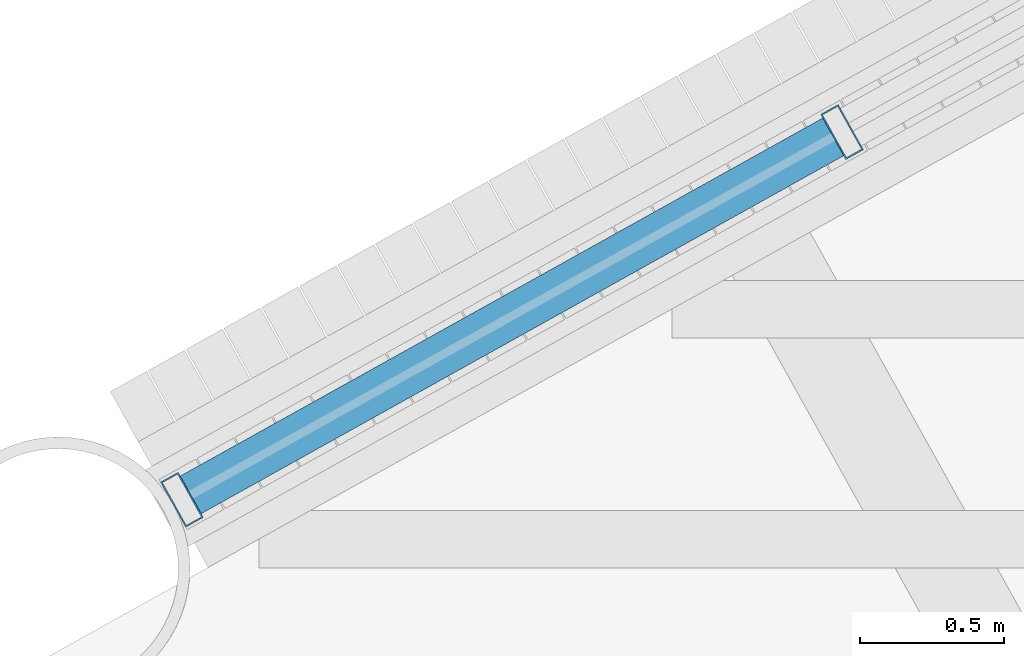
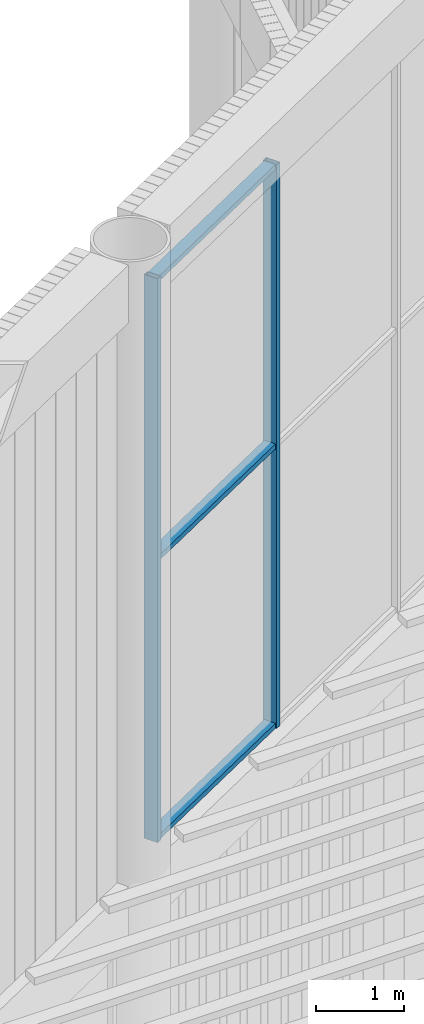
# One storey, part 36 of 117: 5 members, 1 element without a shape of its own.
"""IFC4 building model written with IfcOpenShell, lengths in metres."""

import ifcopenshell
import ifcopenshell.guid

model = None  # the IFC model being written
_history = None  # IfcOwnerHistory: only IFC2X3 demands one
_inside = {}  # id of a spatial element -> (the spatial element, [elements in it])
_under = {}  # id of a project, library or spatial element -> (it, [spatial elements below it])
_declared = {}  # id of a project -> (the project, [libraries it declares])
_typed = {}  # id of a type object -> (the type object, [elements of that type])
_made_of = {}  # id of a material, layer set ... -> (it, [elements and type objects made of it])


def new_model(schema):
    """Start an empty IFC model of exactly this schema.

    Asked for "IFC4X3", IfcOpenShell would pick the latest addendum, in which some entities
    have other attributes; the version numbers below select the first issue.
    IFC2X3 requires an IfcOwnerHistory on every rooted entity: one is made here for all.
    """
    global model, _history
    if schema == "IFC4X3":
        model = ifcopenshell.file(schema_version=(4, 3, 0, 0))
    else:
        model = ifcopenshell.file(schema=schema)
    _inside.clear()
    _under.clear()
    _declared.clear()
    _typed.clear()
    _made_of.clear()
    _history = None
    if model.schema == "IFC2X3":
        org = make("IfcOrganization", Name="unknown")
        user = make(
            "IfcPersonAndOrganization",
            ThePerson=make("IfcPerson", FamilyName="unknown"),
            TheOrganization=org,
        )
        app = make(
            "IfcApplication",
            ApplicationDeveloper=org,
            Version="unknown",
            ApplicationFullName="unknown",
            ApplicationIdentifier="unknown",
        )
        _history = make(
            "IfcOwnerHistory",
            OwningUser=user,
            OwningApplication=app,
            ChangeAction="ADDED",
            CreationDate=0,
        )
    return model


def make(cls, **values):
    """One entity of the class cls with the attributes given. An attribute that is None is left unset."""
    return model.create_entity(
        cls, **{name: value for name, value in values.items() if value is not None}
    )


def rooted(cls, **values):
    """An entity with a GlobalId (a new one), such as an element, a storey or a relation."""
    return make(cls, GlobalId=ifcopenshell.guid.new(), OwnerHistory=_history, **values)


def si_unit(unit_type, name, prefix=None):
    """IfcSIUnit, for example si_unit("LENGTHUNIT", "METRE", prefix="MILLI")."""
    return make("IfcSIUnit", UnitType=unit_type, Prefix=prefix, Name=name)


def assignment(units):
    """IfcUnitAssignment: the units of a project."""
    return None if units is None else make("IfcUnitAssignment", Units=units)


def point(xyz):
    """IfcCartesianPoint."""
    return None if xyz is None else make("IfcCartesianPoint", Coordinates=xyz)


def direction(xyz):
    """IfcDirection."""
    return None if xyz is None else make("IfcDirection", DirectionRatios=xyz)


def frame(location, z_axis=None, x_axis=None):
    """IfcAxis2Placement3D, a coordinate frame: its origin and axes. An axis left out is left unset."""
    return make(
        "IfcAxis2Placement3D",
        Location=point(location),
        Axis=direction(z_axis),
        RefDirection=direction(x_axis),
    )


def frame_2d(location, x_axis=None):
    """IfcAxis2Placement2D, a coordinate frame in the plane: its origin and x axis."""
    return make(
        "IfcAxis2Placement2D", Location=point(location), RefDirection=direction(x_axis)
    )


def origin():
    """The frame at (0, 0, 0) with its axes left unset."""
    return frame((0.0, 0.0, 0.0))


def origin_2d():
    """The frame at (0, 0) in the plane with its x axis left unset."""
    return frame_2d((0.0, 0.0))


def place(relative_to, where):
    """IfcLocalPlacement: puts the frame where relative to a parent placement (None: the world)."""
    return make(
        "IfcLocalPlacement", PlacementRelTo=relative_to, RelativePlacement=where
    )


def context(
    kind, dimensions, precision=None, world=None, true_north=None, identifier=None
):
    """IfcGeometricRepresentationContext, for example the 3D "Model" context."""
    return make(
        "IfcGeometricRepresentationContext",
        ContextIdentifier=identifier,
        ContextType=kind,
        CoordinateSpaceDimension=dimensions,
        Precision=precision,
        WorldCoordinateSystem=world,
        TrueNorth=true_north,
    )


def subcontext(parent, identifier, kind, view, scale=None):
    """IfcGeometricRepresentationSubContext, for example "Body" below "Model"."""
    return make(
        "IfcGeometricRepresentationSubContext",
        ContextIdentifier=identifier,
        ContextType=kind,
        ParentContext=parent,
        TargetScale=scale,
        TargetView=view,
    )


def project(units=None, contexts=None):
    """IfcProject with its units and contexts."""
    return rooted(
        "IfcProject",
        Name="project",
        RepresentationContexts=contexts,
        UnitsInContext=assignment(units),
    )


def spatial(cls, under=None, at=None, **own):
    """A site, building, storey or space (cls), placed at a placement, below another one or the project."""
    s = rooted(cls, ObjectPlacement=at, **own)
    if under is not None:
        _under.setdefault(under.id(), (under, []))[1].append(s)
    return s


def profile(cls, at=None, kind="AREA", **sizes):
    """A parametric profile (cls). Its sizes go by their IFC names, for example OverallWidth=200.0."""
    return make(cls, ProfileType=kind, Position=at, **sizes)


def hollow_rectangle(**sizes):
    """IfcRectangleHollowProfileDef."""
    return profile("IfcRectangleHollowProfileDef", **sizes)


def extrude(swept, where, along, depth):
    """IfcExtrudedAreaSolid: the profile swept, set in the frame where, extruded along a direction by depth."""
    return make(
        "IfcExtrudedAreaSolid",
        SweptArea=swept,
        Position=where,
        ExtrudedDirection=direction(along),
        Depth=depth,
    )


def shape(context_of_items, identifier, shape_type, items):
    """IfcShapeRepresentation: the items that make up one representation, for example the "Body"."""
    return make(
        "IfcShapeRepresentation",
        ContextOfItems=context_of_items,
        RepresentationIdentifier=identifier,
        RepresentationType=shape_type,
        Items=items,
    )


def material(Name=None, Category=None):
    """IfcMaterial."""
    return make("IfcMaterial", Name=Name, Category=Category)


def layer(
    of_material, thickness, ventilated=None, Name=None, Category=None, Priority=None
):
    """IfcMaterialLayer: one layer of a wall or slab, of a material (None: an air gap)."""
    return make(
        "IfcMaterialLayer",
        Material=of_material,
        LayerThickness=thickness,
        IsVentilated=ventilated,
        Name=Name,
        Category=Category,
        Priority=Priority,
    )


def layer_set(layers, Name=None):
    """IfcMaterialLayerSet."""
    return make("IfcMaterialLayerSet", MaterialLayers=layers, LayerSetName=Name)


def material_profile(
    of_material, cross_section, Name=None, Category=None, Priority=None
):
    """IfcMaterialProfile: a cross section and its material."""
    return make(
        "IfcMaterialProfile",
        Name=Name,
        Material=of_material,
        Profile=cross_section,
        Priority=Priority,
        Category=Category,
    )


def profile_set(profiles, Name=None, composite=None):
    """IfcMaterialProfileSet."""
    return make(
        "IfcMaterialProfileSet",
        Name=Name,
        MaterialProfiles=profiles,
        CompositeProfile=composite,
    )


def made_of(thing, what):
    """Note that an element or type object is made of a material, layer set ...; save() writes the relation."""
    if what is not None:
        _made_of.setdefault(what.id(), (what, []))[1].append(thing)
    return thing


def type_object(cls, material=None, **own):
    """A type object (cls), such as IfcWallType, which elements share."""
    return made_of(rooted(cls, **own), material)


def element(
    cls,
    number,
    at=None,
    inside=None,
    cuts=None,
    type_object=None,
    material=None,
    context=None,
    identifier="Body",
    shape_type=None,
    held_by="IfcProductDefinitionShape",
    body=None,
    shapes=None,
    **own,
):
    """One element of the class cls, such as IfcWall. Its Tag is "e" and its number.

    at: its placement. inside: the storey or other place that contains it. cuts: it is an
    opening in that element (IfcRelVoidsElement). A single representation is given by context,
    identifier, shape_type and body (its items); several are given by shapes. held_by: the class
    of the entity that holds the representations. save() writes the other relations.
    """
    e = rooted(cls, Tag="e%d" % number, ObjectPlacement=at, **own)
    if body is not None:
        shapes = [shape(context, identifier, shape_type, body)]
    if shapes is not None:
        e.Representation = make(held_by, Representations=shapes)
    if inside is not None:
        _inside.setdefault(inside.id(), (inside, []))[1].append(e)
    if cuts is not None:
        rooted(
            "IfcRelVoidsElement", RelatingBuildingElement=cuts, RelatedOpeningElement=e
        )
    if type_object is not None:
        _typed.setdefault(type_object.id(), (type_object, []))[1].append(e)
    return made_of(e, material)


def aggregate(whole, parts):
    """IfcRelAggregates: a whole, such as a stair, and the parts it consists of."""
    return rooted("IfcRelAggregates", RelatingObject=whole, RelatedObjects=parts)


def save(model, path):
    """Write the relations noted so far, then the file.

    IfcRelAggregates (storeys below a building ...), IfcRelContainedInSpatialStructure (elements
    in a storey), IfcRelDefinesByType, IfcRelAssociatesMaterial and IfcRelDeclares: one each for
    every whole, place, type object, material and project.
    """
    for whole, parts in _under.values():
        aggregate(whole, parts)
    for where, things in _inside.values():
        rooted(
            "IfcRelContainedInSpatialStructure",
            RelatedElements=things,
            RelatingStructure=where,
        )
    for kind, things in _typed.values():
        rooted("IfcRelDefinesByType", RelatedObjects=things, RelatingType=kind)
    for what, things in _made_of.values():
        rooted("IfcRelAssociatesMaterial", RelatedObjects=things, RelatingMaterial=what)
    for by, libraries in _declared.values():
        rooted("IfcRelDeclares", RelatingContext=by, RelatedDefinitions=libraries)
    model.write(path)


model = new_model("IFC4")

# Units and contexts
model_context = context("Model", 3, precision=1e-05, world=origin(), true_north=direction((0.0, 1.0)))
body_context = subcontext(model_context, "Body", "Model", "MODEL_VIEW")
ifc_project = project(units=[si_unit("LENGTHUNIT", "METRE"), si_unit("AREAUNIT", "SQUARE_METRE"), si_unit("VOLUMEUNIT", "CUBIC_METRE"), si_unit("PLANEANGLEUNIT", "RADIAN"), si_unit("MASSUNIT", "GRAM", prefix="KILO")], contexts=[model_context])

# Site, building, storey
site_placement = place(None, origin())
site = spatial("IfcSite", under=ifc_project, at=site_placement, CompositionType="ELEMENT")
building_placement = place(site_placement, origin())
building = spatial("IfcBuilding", under=site, at=building_placement, Name="Tarsis Ring Headquarters", CompositionType="ELEMENT")
storey_placement = place(building_placement, frame((0.0, 0.0, 403.60009765625)))
storey = spatial("IfcBuildingStorey", under=building, at=storey_placement, Name="L95", CompositionType="ELEMENT", Elevation=403.60009765625)

# Curtain wall, members
ifc_material_1 = material(Name="Aluminium curtain wall", Category="aluminium")
ifc_layer = layer(ifc_material_1, 0.179931640625)
ifc_layer_set = layer_set([ifc_layer], Name="Curtain wall crown glazing")
curtain_wall_type = type_object("IfcCurtainWallType", Name="Curtain wall crown glazing", PredefinedType="NOTDEFINED", material=ifc_layer_set)
curtain_wall_placement = place(storey_placement, origin())
curtain_wall = element("IfcCurtainWall", 1, at=curtain_wall_placement, inside=storey, type_object=curtain_wall_type, Name="Crown glazing U14", PredefinedType="NOTDEFINED")
ifc_material_2 = material(Name="Aluminium mullion", Category="aluminium")
ifc_material_profile_1 = material_profile(ifc_material_2, hollow_rectangle(XDim=0.179931640625, YDim=0.070068359375, WallThickness=0.0048828125, at=origin_2d()), Name="RHS 180x70x5")
ifc_profile_set_1 = profile_set([ifc_material_profile_1], Name="Aluminium mullion")
member_type_1 = type_object("IfcMemberType", Name="Crown glazing mullion RHS 180x70x5", PredefinedType="MULLION", material=ifc_profile_set_1)
member_1_placement = place(storey_placement, frame((-34.090087890625, -2.048583984375, 14.39990234375), z_axis=(0.0, 0.0, 1.0), x_axis=(0.486640300948, -0.873602436748, 0.0)))
member_1 = element("IfcMember", 2, at=member_1_placement, type_object=member_type_1, Name="CW-C mullion 3", PredefinedType="MULLION", context=body_context, shape_type="SweptSolid", body=[
    extrude(hollow_rectangle(XDim=0.179931640625, YDim=0.070068359375, WallThickness=0.0048828125, at=origin_2d()), origin(), (0.0, 0.0, 1.0), 7.800048828125),
])
member_2_placement = place(storey_placement, frame((-36.3857421875, -3.327392578125, 14.39990234375), z_axis=(0.0, 0.0, 1.0), x_axis=(0.486640300948, -0.873602436748, 0.0)))
member_2 = element("IfcMember", 3, at=member_2_placement, type_object=member_type_1, Name="CW-C mullion 4", PredefinedType="MULLION", context=body_context, shape_type="SweptSolid", body=[
    extrude(hollow_rectangle(XDim=0.179931640625, YDim=0.070068359375, WallThickness=0.0048828125, at=origin_2d()), origin(), (0.0, 0.0, 1.0), 7.800048828125),
])
ifc_material_3 = material(Name="Aluminium transom", Category="aluminium")
ifc_material_profile_2 = material_profile(ifc_material_3, hollow_rectangle(XDim=0.14990234375, YDim=0.070068359375, WallThickness=0.0048828125, at=origin_2d()), Name="RHS 150x70x5")
ifc_profile_set_2 = profile_set([ifc_material_profile_2], Name="Aluminium transom")
member_type_2 = type_object("IfcMemberType", Name="Crown glazing transom RHS 150x70x5", PredefinedType="USERDEFINED", material=ifc_profile_set_2)
member_3_placement = place(storey_placement, frame((-34.12060546875, -2.0654296875, 14.434814453125), z_axis=(-0.873566816778, -0.486704239374, 0.0), x_axis=(0.486704239374, -0.873566816778, 0.0)))
member_3 = element("IfcMember", 4, at=member_3_placement, type_object=member_type_2, Name="CW-C transom 3.1", ObjectType="TRANSOM", PredefinedType="USERDEFINED", context=body_context, shape_type="SweptSolid", body=[
    extrude(hollow_rectangle(XDim=0.14990234375, YDim=0.070068359375, WallThickness=0.0048828125, at=origin_2d()), origin(), (0.0, 0.0, 1.0), 2.557861328125),
])
member_4_placement = place(storey_placement, frame((-34.12060546875, -2.0654296875, 18.2998046875), z_axis=(-0.873566816778, -0.486704239374, 0.0), x_axis=(0.486704239374, -0.873566816778, 0.0)))
member_4 = element("IfcMember", 5, at=member_4_placement, type_object=member_type_2, Name="CW-C transom 3.2", ObjectType="TRANSOM", PredefinedType="USERDEFINED", context=body_context, shape_type="SweptSolid", body=[
    extrude(hollow_rectangle(XDim=0.14990234375, YDim=0.070068359375, WallThickness=0.0048828125, at=origin_2d()), origin(), (0.0, 0.0, 1.0), 2.557861328125),
])
member_5_placement = place(storey_placement, frame((-34.12060546875, -2.0654296875, 22.164794921875), z_axis=(-0.873566816778, -0.486704239374, 0.0), x_axis=(0.486704239374, -0.873566816778, 0.0)))
member_5 = element("IfcMember", 6, at=member_5_placement, type_object=member_type_2, Name="CW-C transom 3.3", ObjectType="TRANSOM", PredefinedType="USERDEFINED", context=body_context, shape_type="SweptSolid", body=[
    extrude(hollow_rectangle(XDim=0.14990234375, YDim=0.070068359375, WallThickness=0.0048828125, at=origin_2d()), origin(), (0.0, 0.0, 1.0), 2.557861328125),
])
aggregate(curtain_wall, [member_1, member_2, member_3, member_4, member_5])

save(model, "model.ifc")
